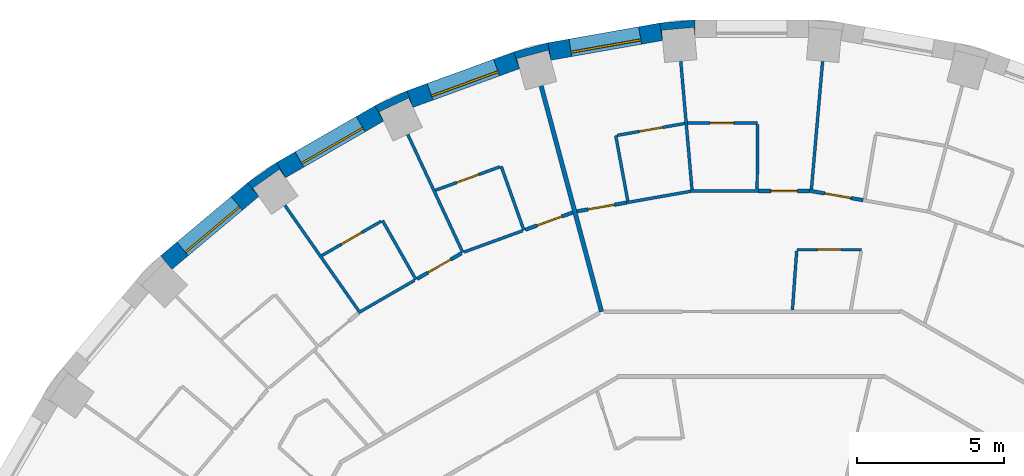
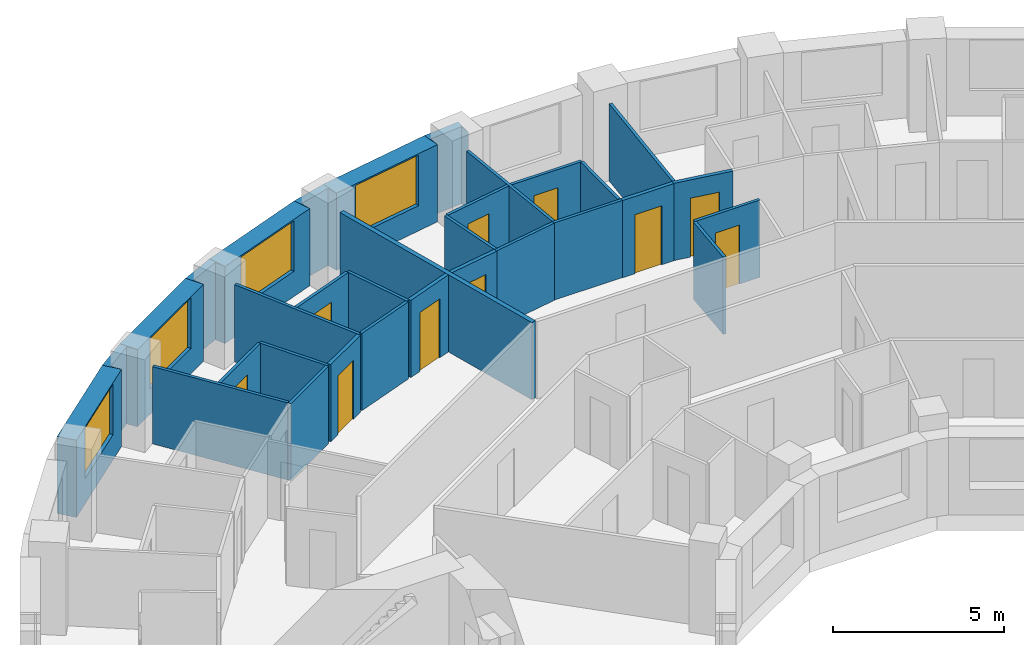
# One storey, part 10 of 14: 32 walls, 10 doors, 4 windows, 14 openings.
"""IFC4 building model written with IfcOpenShell, lengths in metres."""

from ifc_helpers import new_model, si_unit, direction, frame, frame_2d, origin, place, context, subcontext, project, spatial, polyline, rectangle, outline, extrude, material, layer, layer_set, type_object, element, fill, save


model = new_model("IFC4")

# Units and contexts
model_context = context("Model", 3, precision=1e-05, world=origin(), true_north=direction((0.0, 1.0)))
body_context = subcontext(model_context, "Body", "Model", "MODEL_VIEW")
ifc_project = project(units=[si_unit("LENGTHUNIT", "METRE"), si_unit("AREAUNIT", "SQUARE_METRE"), si_unit("VOLUMEUNIT", "CUBIC_METRE"), si_unit("PLANEANGLEUNIT", "RADIAN"), si_unit("MASSUNIT", "GRAM", prefix="KILO")], contexts=[model_context])

# Site, building, storey
site_placement = place(None, origin())
site = spatial("IfcSite", under=ifc_project, at=site_placement, CompositionType="ELEMENT")
building_placement = place(site_placement, origin())
building = spatial("IfcBuilding", under=site, at=building_placement, Name="Saqina Gate Tower", CompositionType="ELEMENT")
storey_placement = place(building_placement, frame((0.0, 0.0, 49.39990234375)))
storey = spatial("IfcBuildingStorey", under=building, at=storey_placement, Name="L13", CompositionType="ELEMENT", Elevation=49.39990234375)

# Walls
ifc_material_1 = material(Name="Brick masonry (red)", Category="masonry")
wall_type_1 = type_object("IfcWallType", Name="BRICK PIER COPING RED", PredefinedType="SOLIDWALL", material=ifc_material_1)
wall_1_placement = place(storey_placement, origin())
element("IfcWall", 1, at=wall_1_placement, inside=storey, type_object=wall_type_1, Name="Pier cap L13 column 10", PredefinedType="SOLIDWALL", context=body_context, shape_type="SweptSolid", body=[
    extrude(outline(polyline([(-1.9228515625, 28.8896484375), (-3.122802734375, 28.78466796875), (-3.018798828125, 28.19384765625), (-3.04931640625, 28.54296875), (-1.95361328125, 28.638671875), (-1.9228515625, 28.28955078125), (-1.9228515625, 28.8896484375)])), origin(), (0.0, 0.0, 1.0), 2.75),
])
wall_2_placement = place(storey_placement, origin())
element("IfcWall", 2, at=wall_2_placement, inside=storey, type_object=wall_type_1, Name="Pier cap L13 column 11", PredefinedType="SOLIDWALL", context=body_context, shape_type="SweptSolid", body=[
    extrude(outline(polyline([(-6.910400390625, 28.11669921875), (-8.073974609375, 27.80517578125), (-7.86865234375, 27.2412109375), (-7.95947265625, 27.57958984375), (-6.896728515625, 27.864501953125), (-6.80615234375, 27.52587890625), (-6.910400390625, 28.11669921875)])), origin(), (0.0, 0.0, 1.0), 2.75),
])
wall_3_placement = place(storey_placement, origin())
element("IfcWall", 3, at=wall_3_placement, inside=storey, type_object=wall_type_1, Name="Pier cap L13 column 12", PredefinedType="SOLIDWALL", context=body_context, shape_type="SweptSolid", body=[
    extrude(outline(polyline([(-12.779541015625, 25.980712890625), (-12.4794921875, 25.4609375), (-12.627685546875, 25.778564453125), (-11.630615234375, 26.243408203125), (-11.482666015625, 25.92578125), (-11.687744140625, 26.48974609375), (-12.779541015625, 25.980712890625)])), origin(), (0.0, 0.0, 1.0), 2.75),
])
wall_4_placement = place(storey_placement, origin())
element("IfcWall", 4, at=wall_4_placement, inside=storey, type_object=wall_type_1, Name="Pier cap L13 column 13", PredefinedType="SOLIDWALL", context=body_context, shape_type="SweptSolid", body=[
    extrude(outline(polyline([(-16.110107421875, 24.0576171875), (-17.096923828125, 23.36669921875), (-16.711181640625, 22.9072265625), (-16.912109375, 23.194091796875), (-16.010986328125, 23.8251953125), (-15.81005859375, 23.5380859375), (-16.110107421875, 24.0576171875)])), origin(), (0.0, 0.0, 1.0), 2.75),
])

# Wall, opening, window
ifc_material_2 = material(Name="Brick masonry (red)", Category="masonry")
ifc_layer_1 = layer(ifc_material_2, 0.60009765625)
ifc_layer_set_1 = layer_set([ifc_layer_1], Name="FW-BRICK-RED")
wall_type_2 = type_object("IfcWallType", Name="FW-BRICK-RED", PredefinedType="SOLIDWALL", material=ifc_layer_set_1)
wall_5_placement = place(storey_placement, frame((-3.07080078125, 28.4892578125, 0.0), z_axis=(0.0, 0.0, 1.0), x_axis=(-0.984800809218, -0.173687553279, 0.0)))
wall_5 = element("IfcWall", 5, at=wall_5_placement, inside=storey, type_object=wall_type_2, Name="Facade wall L13 facet 10", PredefinedType="SOLIDWALL", context=body_context, shape_type="SweptSolid", body=[
    extrude(rectangle(XDim=3.845703125, YDim=0.60009765625, at=frame_2d((1.9228515625, 0.0))), origin(), (0.0, 0.0, 1.0), 2.75),
])
opening_1_placement = place(wall_5_placement, frame((0.722900390625, 0.0, 0.89990234375)))
opening_1 = element("IfcOpeningElement", 6, at=opening_1_placement, cuts=wall_5, Name="Opening G03-W08", PredefinedType="OPENING", context=body_context, shape_type="SweptSolid", body=[
    extrude(rectangle(XDim=2.39990234375, YDim=1.800048828125, at=frame_2d((1.199951171875, 0.89990234375))), frame((0.0, 0.31201171875, 0.0), z_axis=(0.0, -1.0, 0.0), x_axis=(1.0, 0.0, 0.0)), (0.0, 0.0, 1.0), 0.6240234375),
])
ifc_material_3 = material(Name="Aluminium glazing", Category="aluminium")
window_type = type_object("IfcWindowType", Name="WN-A", PartitioningType="SINGLE_PANEL", PredefinedType="WINDOW", material=ifc_material_3)
window_1_placement = place(opening_1_placement, origin())
window_1 = element("IfcWindow", 7, at=window_1_placement, inside=storey, type_object=window_type, Name="Window L13 facet 10", OverallHeight=1.800048828125, OverallWidth=2.39990234375, PartitioningType="SINGLE_PANEL", PredefinedType="WINDOW", context=body_context, shape_type="SweptSolid", body=[
    extrude(rectangle(XDim=2.39990234375, YDim=1.800048828125, at=frame_2d((1.199951171875, 0.89990234375))), frame((0.0, 0.179931640625, 0.0), z_axis=(0.0, -1.0, 0.0), x_axis=(1.0, 0.0, 0.0)), (0.0, 0.0, 1.0), 0.06005859375),
])
fill(opening_1, window_1)

wall_6_placement = place(storey_placement, frame((-7.97119140625, 27.523193359375, 0.0), z_axis=(0.0, 0.0, 1.0), x_axis=(-0.939689588564, -0.342028474173, 0.0)))
wall_6 = element("IfcWall", 8, at=wall_6_placement, inside=storey, type_object=wall_type_2, Name="Facade wall L13 facet 11", PredefinedType="SOLIDWALL", context=body_context, shape_type="SweptSolid", body=[
    extrude(rectangle(XDim=3.845947265625, YDim=0.60009765625, at=frame_2d((1.9228515625, 0.0))), origin(), (0.0, 0.0, 1.0), 2.75),
])
opening_2_placement = place(wall_6_placement, frame((0.722900390625, 0.0, 0.89990234375)))
opening_2 = element("IfcOpeningElement", 9, at=opening_2_placement, cuts=wall_6, Name="Opening G03-W09", PredefinedType="OPENING", context=body_context, shape_type="SweptSolid", body=[
    extrude(rectangle(XDim=2.39990234375, YDim=1.800048828125, at=frame_2d((1.199951171875, 0.89990234375))), frame((0.0, 0.31201171875, 0.0), z_axis=(0.0, -1.0, 0.0), x_axis=(1.0, 0.0, 0.0)), (0.0, 0.0, 1.0), 0.6240234375),
])
window_2_placement = place(opening_2_placement, origin())
window_2 = element("IfcWindow", 10, at=window_2_placement, inside=storey, type_object=window_type, Name="Window L13 facet 11", OverallHeight=1.800048828125, OverallWidth=2.39990234375, PartitioningType="SINGLE_PANEL", PredefinedType="WINDOW", context=body_context, shape_type="SweptSolid", body=[
    extrude(rectangle(XDim=2.39990234375, YDim=1.800048828125, at=frame_2d((1.199951171875, 0.89990234375))), frame((0.0, 0.179931640625, 0.0), z_axis=(0.0, -1.0, 0.0), x_axis=(1.0, 0.0, 0.0)), (0.0, 0.0, 1.0), 0.06005859375),
])
fill(opening_2, window_2)

wall_7_placement = place(storey_placement, frame((-12.629638671875, 25.720703125, 0.0), z_axis=(0.0, 0.0, 1.0), x_axis=(-0.86603124159, -0.499989888488, 0.0)))
wall_7 = element("IfcWall", 11, at=wall_7_placement, inside=storey, type_object=wall_type_2, Name="Facade wall L13 facet 12", PredefinedType="SOLIDWALL", context=body_context, shape_type="SweptSolid", body=[
    extrude(rectangle(XDim=3.845703125, YDim=0.60009765625, at=frame_2d((1.9228515625, 0.0))), origin(), (0.0, 0.0, 1.0), 2.75),
])
opening_3_placement = place(wall_7_placement, frame((0.722900390625, 0.0, 0.89990234375)))
opening_3 = element("IfcOpeningElement", 12, at=opening_3_placement, cuts=wall_7, Name="Opening G03-W10", PredefinedType="OPENING", context=body_context, shape_type="SweptSolid", body=[
    extrude(rectangle(XDim=2.39990234375, YDim=1.800048828125, at=frame_2d((1.199951171875, 0.89990234375))), frame((0.0, 0.31201171875, 0.0), z_axis=(0.0, -1.0, 0.0), x_axis=(1.0, 0.0, 0.0)), (0.0, 0.0, 1.0), 0.6240234375),
])
window_3_placement = place(opening_3_placement, origin())
window_3 = element("IfcWindow", 13, at=window_3_placement, inside=storey, type_object=window_type, Name="Window L13 facet 12", OverallHeight=1.800048828125, OverallWidth=2.39990234375, PartitioningType="SINGLE_PANEL", PredefinedType="WINDOW", context=body_context, shape_type="SweptSolid", body=[
    extrude(rectangle(XDim=2.39990234375, YDim=1.800048828125, at=frame_2d((1.199951171875, 0.89990234375))), frame((0.0, 0.179931640625, 0.0), z_axis=(0.0, -1.0, 0.0), x_axis=(1.0, 0.0, 0.0)), (0.0, 0.0, 1.0), 0.06005859375),
])
fill(opening_3, window_3)

wall_8_placement = place(storey_placement, frame((-16.904052734375, 23.136962890625, 0.0), z_axis=(0.0, 0.0, 1.0), x_axis=(-0.766026164483, -0.642809392687, 0.0)))
wall_8 = element("IfcWall", 14, at=wall_8_placement, inside=storey, type_object=wall_type_2, Name="Facade wall L13 facet 13", PredefinedType="SOLIDWALL", context=body_context, shape_type="SweptSolid", body=[
    extrude(rectangle(XDim=3.845947265625, YDim=0.60009765625, at=frame_2d((1.9228515625, 0.0))), origin(), (0.0, 0.0, 1.0), 2.75),
])
opening_4_placement = place(wall_8_placement, frame((0.722900390625, 0.0, 0.89990234375)))
opening_4 = element("IfcOpeningElement", 15, at=opening_4_placement, cuts=wall_8, Name="Opening G03-W11", PredefinedType="OPENING", context=body_context, shape_type="SweptSolid", body=[
    extrude(rectangle(XDim=2.39990234375, YDim=1.800048828125, at=frame_2d((1.199951171875, 0.89990234375))), frame((0.0, 0.31201171875, 0.0), z_axis=(0.0, -1.0, 0.0), x_axis=(1.0, 0.0, 0.0)), (0.0, 0.0, 1.0), 0.6240234375),
])
window_4_placement = place(opening_4_placement, origin())
window_4 = element("IfcWindow", 16, at=window_4_placement, inside=storey, type_object=window_type, Name="Window L13 facet 13", OverallHeight=1.800048828125, OverallWidth=2.39990234375, PartitioningType="SINGLE_PANEL", PredefinedType="WINDOW", context=body_context, shape_type="SweptSolid", body=[
    extrude(rectangle(XDim=2.39990234375, YDim=1.800048828125, at=frame_2d((1.199951171875, 0.89990234375))), frame((0.0, 0.179931640625, 0.0), z_axis=(0.0, -1.0, 0.0), x_axis=(1.0, 0.0, 0.0)), (0.0, 0.0, 1.0), 0.06005859375),
])
fill(opening_4, window_4)

# Walls
ifc_material_4 = material(Name="Gypsum board on steel studs, 100 mm", Category="steel")
ifc_layer_2 = layer(ifc_material_4, 0.10009765625)
ifc_layer_set_2 = layer_set([ifc_layer_2], Name="PARTITION 100")
wall_type_3 = type_object("IfcWallType", Name="PARTITION 100", PredefinedType="PARTITIONING", material=ifc_layer_set_2)
wall_9_placement = place(storey_placement, frame((-2.404541015625, 27.485107421875, 0.0), z_axis=(0.0, 0.0, 1.0), x_axis=(0.087315535453, -0.996180705128, 0.0)))
element("IfcWall", 17, at=wall_9_placement, inside=storey, type_object=wall_type_3, Name="PARTITION PW3-01", PredefinedType="PARTITIONING", context=body_context, shape_type="SweptSolid", body=[
    extrude(rectangle(XDim=4.36181640625, YDim=0.10009765625, at=frame_2d((2.180908203125, 0.0))), origin(), (0.0, 0.0, 1.0), 2.75),
])
wall_10_placement = place(storey_placement, frame((-4.60888671875, 24.968994140625, 0.0), z_axis=(0.0, 0.0, 1.0), x_axis=(0.181195568125, -0.983447083524, 0.0)))
element("IfcWall", 18, at=wall_10_placement, inside=storey, type_object=wall_type_3, Name="PARTITION PW3-06", PredefinedType="PARTITIONING", context=body_context, shape_type="SweptSolid", body=[
    extrude(rectangle(XDim=2.250244140625, YDim=0.10009765625, at=frame_2d((1.125, 0.0))), origin(), (0.0, 0.0, 1.0), 2.75),
])
wall_11_placement = place(storey_placement, frame((-8.492919921875, 23.927978515625, 0.0), z_axis=(0.0, 0.0, 1.0), x_axis=(0.334695622164, -0.942326291952, 0.0)))
element("IfcWall", 19, at=wall_11_placement, inside=storey, type_object=wall_type_3, Name="PARTITION PW3-12", PredefinedType="PARTITIONING", context=body_context, shape_type="SweptSolid", body=[
    extrude(rectangle(XDim=2.300537109375, YDim=0.10009765625, at=frame_2d((1.150390625, 0.0))), origin(), (0.0, 0.0, 1.0), 2.75),
])
wall_12_placement = place(storey_placement, frame((-11.659912109375, 25.005126953125, 0.0), z_axis=(0.0, 0.0, 1.0), x_axis=(0.422658280027, -0.906289125127, 0.0)))
element("IfcWall", 20, at=wall_12_placement, inside=storey, type_object=wall_type_3, Name="PARTITION PW3-15", PredefinedType="PARTITIONING", context=body_context, shape_type="SweptSolid", body=[
    extrude(rectangle(XDim=4.41259765625, YDim=0.10009765625, at=frame_2d((2.206298828125, 0.0))), origin(), (0.0, 0.0, 1.0), 2.75),
])
wall_13_placement = place(storey_placement, frame((-12.51904296875, 22.090087890625, 0.0), z_axis=(0.0, 0.0, 1.0), x_axis=(0.49306078006, -0.869994866173, 0.0)))
element("IfcWall", 21, at=wall_13_placement, inside=storey, type_object=wall_type_3, Name="PARTITION PW3-18", PredefinedType="PARTITIONING", context=body_context, shape_type="SweptSolid", body=[
    extrude(rectangle(XDim=2.300048828125, YDim=0.10009765625, at=frame_2d((1.14990234375, 0.0))), origin(), (0.0, 0.0, 1.0), 2.75),
])
wall_14_placement = place(storey_placement, frame((-15.824951171875, 22.600341796875, 0.0), z_axis=(0.0, 0.0, 1.0), x_axis=(0.573326730149, -0.819326833746, 0.0)))
element("IfcWall", 22, at=wall_14_placement, inside=storey, type_object=wall_type_3, Name="PARTITION PW3-24", PredefinedType="PARTITIONING", context=body_context, shape_type="SweptSolid", body=[
    extrude(rectangle(XDim=4.349853515625, YDim=0.10009765625, at=frame_2d((2.1748046875, 0.0))), origin(), (0.0, 0.0, 1.0), 2.75),
])

# Wall, opening, door
wall_15_placement = place(storey_placement, frame((1.529052734375, 21.10009765625, 0.0), z_axis=(0.0, 0.0, 1.0), x_axis=(1.0, 0.0, 0.0)))
wall_15 = element("IfcWall", 23, at=wall_15_placement, inside=storey, type_object=wall_type_3, Name="PARTITION PW3-67", PredefinedType="PARTITIONING", context=body_context, shape_type="SweptSolid", body=[
    extrude(rectangle(XDim=2.19091796875, YDim=0.10009765625, at=frame_2d((1.095458984375, 0.0))), origin(), (0.0, 0.0, 1.0), 2.75),
])
opening_5_placement = place(wall_15_placement, frame((0.695556640625, 0.0, 0.0)))
opening_5 = element("IfcOpeningElement", 24, at=opening_5_placement, cuts=wall_15, Name="Opening G03-D15", PredefinedType="OPENING", context=body_context, shape_type="SweptSolid", body=[
    extrude(rectangle(XDim=0.800048828125, YDim=2.10009765625, at=frame_2d((0.39990234375, 1.050048828125))), frame((0.0, 0.06201171875, 0.0), z_axis=(0.0, -1.0, 0.0), x_axis=(1.0, 0.0, 0.0)), (0.0, 0.0, 1.0), 0.1240234375),
])
ifc_material_5 = material(Name="Timber door leaf, 800 mm", Category="wood")
door_type_1 = type_object("IfcDoorType", Name="DOOR 800 TIMBER", OperationType="SINGLE_SWING_LEFT", PredefinedType="DOOR", material=ifc_material_5)
door_1_placement = place(opening_5_placement, origin())
door_1 = element("IfcDoor", 25, at=door_1_placement, inside=storey, type_object=door_type_1, Name="DOOR G03-D15", OperationType="SINGLE_SWING_LEFT", OverallHeight=2.10009765625, OverallWidth=0.800048828125, PredefinedType="DOOR", context=body_context, shape_type="SweptSolid", body=[
    extrude(rectangle(XDim=0.800048828125, YDim=2.10009765625, at=frame_2d((0.39990234375, 1.050048828125))), frame((0.0, 0.02490234375, 0.0), z_axis=(0.0, -1.0, 0.0), x_axis=(1.0, 0.0, 0.0)), (0.0, 0.0, 1.0), 0.050048828125),
])
fill(opening_5, door_1)

# Wall
wall_16_placement = place(storey_placement, frame((-2.07080078125, 23.090087890625, 0.0), z_axis=(0.0, 0.0, 1.0), x_axis=(1.0, 0.0, 0.0)))
element("IfcWall", 26, at=wall_16_placement, inside=storey, type_object=wall_type_3, Name="PARTITION PW3-68", PredefinedType="PARTITIONING", context=body_context, shape_type="SweptSolid", body=[
    extrude(rectangle(XDim=2.305908203125, YDim=0.10009765625, at=frame_2d((1.15283203125, 0.0))), origin(), (0.0, 0.0, 1.0), 2.75),
])

# Wall, opening, door
wall_17_placement = place(storey_placement, frame((-2.1708984375, 25.389892578125, 0.0), z_axis=(0.0, 0.0, 1.0), x_axis=(1.0, 0.0, 0.0)))
wall_17 = element("IfcWall", 27, at=wall_17_placement, inside=storey, type_object=wall_type_3, Name="PARTITION PW3-69", PredefinedType="PARTITIONING", context=body_context, shape_type="SweptSolid", body=[
    extrude(rectangle(XDim=2.373779296875, YDim=0.10009765625, at=frame_2d((1.18701171875, 0.0))), origin(), (0.0, 0.0, 1.0), 2.75),
])
opening_6_placement = place(wall_17_placement, frame((0.761962890625, 0.0, 0.0)))
opening_6 = element("IfcOpeningElement", 28, at=opening_6_placement, cuts=wall_17, Name="Opening G03-D17", PredefinedType="OPENING", context=body_context, shape_type="SweptSolid", body=[
    extrude(rectangle(XDim=0.800048828125, YDim=2.10009765625, at=frame_2d((0.39990234375, 1.050048828125))), frame((0.0, 0.06201171875, 0.0), z_axis=(0.0, -1.0, 0.0), x_axis=(1.0, 0.0, 0.0)), (0.0, 0.0, 1.0), 0.1240234375),
])
door_2_placement = place(opening_6_placement, origin())
door_2 = element("IfcDoor", 29, at=door_2_placement, inside=storey, type_object=door_type_1, Name="DOOR G03-D17", OperationType="SINGLE_SWING_LEFT", OverallHeight=2.10009765625, OverallWidth=0.800048828125, PredefinedType="DOOR", context=body_context, shape_type="SweptSolid", body=[
    extrude(rectangle(XDim=0.800048828125, YDim=2.10009765625, at=frame_2d((0.39990234375, 1.050048828125))), frame((0.0, 0.02490234375, 0.0), z_axis=(0.0, -1.0, 0.0), x_axis=(1.0, 0.0, 0.0)), (0.0, 0.0, 1.0), 0.050048828125),
])
fill(opening_6, door_2)

# Wall
wall_18_placement = place(storey_placement, frame((-4.2412109375, 22.697998046875, 0.0), z_axis=(0.0, 0.0, 1.0), x_axis=(0.984822536066, 0.173564317922, 0.0)))
element("IfcWall", 30, at=wall_18_placement, inside=storey, type_object=wall_type_3, Name="PARTITION PW3-72", PredefinedType="PARTITIONING", context=body_context, shape_type="SweptSolid", body=[
    extrude(rectangle(XDim=2.20556640625, YDim=0.10009765625, at=frame_2d((1.102783203125, 0.0))), origin(), (0.0, 0.0, 1.0), 2.75),
])

# Wall, opening, door
wall_19_placement = place(storey_placement, frame((-4.559814453125, 24.977783203125, 0.0), z_axis=(0.0, 0.0, 1.0), x_axis=(0.984818426074, 0.173587636842, 0.0)))
wall_19 = element("IfcWall", 31, at=wall_19_placement, inside=storey, type_object=wall_type_3, Name="PARTITION PW3-73", PredefinedType="PARTITIONING", context=body_context, shape_type="SweptSolid", body=[
    extrude(rectangle(XDim=2.324951171875, YDim=0.10009765625, at=frame_2d((1.16259765625, 0.0))), origin(), (0.0, 0.0, 1.0), 2.75),
])
opening_7_placement = place(wall_19_placement, frame((0.762451171875, 0.0, 0.0)))
opening_7 = element("IfcOpeningElement", 32, at=opening_7_placement, cuts=wall_19, Name="Opening G03-D20", PredefinedType="OPENING", context=body_context, shape_type="SweptSolid", body=[
    extrude(rectangle(XDim=0.800048828125, YDim=2.10009765625, at=frame_2d((0.39990234375, 1.050048828125))), frame((0.0, 0.06201171875, 0.0), z_axis=(0.0, -1.0, 0.0), x_axis=(1.0, 0.0, 0.0)), (0.0, 0.0, 1.0), 0.1240234375),
])
door_3_placement = place(opening_7_placement, origin())
door_3 = element("IfcDoor", 33, at=door_3_placement, inside=storey, type_object=door_type_1, Name="DOOR G03-D20", OperationType="SINGLE_SWING_LEFT", OverallHeight=2.10009765625, OverallWidth=0.800048828125, PredefinedType="DOOR", context=body_context, shape_type="SweptSolid", body=[
    extrude(rectangle(XDim=0.800048828125, YDim=2.10009765625, at=frame_2d((0.39990234375, 1.050048828125))), frame((0.0, 0.02490234375, 0.0), z_axis=(0.0, -1.0, 0.0), x_axis=(1.0, 0.0, 0.0)), (0.0, 0.0, 1.0), 0.050048828125),
])
fill(opening_7, door_3)

# Wall
wall_20_placement = place(storey_placement, frame((-9.748046875, 21.023193359375, 0.0), z_axis=(0.0, 0.0, 1.0), x_axis=(0.939725675468, 0.341929312674, 0.0)))
element("IfcWall", 34, at=wall_20_placement, inside=storey, type_object=wall_type_3, Name="PARTITION PW3-76", PredefinedType="PARTITIONING", context=body_context, shape_type="SweptSolid", body=[
    extrude(rectangle(XDim=2.10498046875, YDim=0.10009765625, at=frame_2d((1.052490234375, 0.0))), origin(), (0.0, 0.0, 1.0), 2.75),
])

# Wall, opening, door
wall_21_placement = place(storey_placement, frame((-10.723876953125, 23.1162109375, 0.0), z_axis=(0.0, 0.0, 1.0), x_axis=(0.939716717369, 0.34195393125, 0.0)))
wall_21 = element("IfcWall", 35, at=wall_21_placement, inside=storey, type_object=wall_type_3, Name="PARTITION PW3-77", PredefinedType="PARTITIONING", context=body_context, shape_type="SweptSolid", body=[
    extrude(rectangle(XDim=2.323974609375, YDim=0.10009765625, at=frame_2d((1.162109375, 0.0))), origin(), (0.0, 0.0, 1.0), 2.75),
])
opening_8_placement = place(wall_21_placement, frame((0.761962890625, 0.0, 0.0)))
opening_8 = element("IfcOpeningElement", 36, at=opening_8_placement, cuts=wall_21, Name="Opening G03-D24", PredefinedType="OPENING", context=body_context, shape_type="SweptSolid", body=[
    extrude(rectangle(XDim=0.800048828125, YDim=2.10009765625, at=frame_2d((0.39990234375, 1.050048828125))), frame((0.0, 0.06201171875, 0.0), z_axis=(0.0, -1.0, 0.0), x_axis=(1.0, 0.0, 0.0)), (0.0, 0.0, 1.0), 0.1240234375),
])
door_4_placement = place(opening_8_placement, origin())
door_4 = element("IfcDoor", 37, at=door_4_placement, inside=storey, type_object=door_type_1, Name="DOOR G03-D24", OperationType="SINGLE_SWING_LEFT", OverallHeight=2.10009765625, OverallWidth=0.800048828125, PredefinedType="DOOR", context=body_context, shape_type="SweptSolid", body=[
    extrude(rectangle(XDim=0.800048828125, YDim=2.10009765625, at=frame_2d((0.39990234375, 1.050048828125))), frame((0.0, 0.02490234375, 0.0), z_axis=(0.0, -1.0, 0.0), x_axis=(1.0, 0.0, 0.0)), (0.0, 0.0, 1.0), 0.050048828125),
])
fill(opening_8, door_4)

# Wall
wall_22_placement = place(storey_placement, frame((-13.337890625, 18.960693359375, 0.0), z_axis=(0.0, 0.0, 1.0), x_axis=(0.865883187712, 0.500246244601, 0.0)))
element("IfcWall", 38, at=wall_22_placement, inside=storey, type_object=wall_type_3, Name="PARTITION PW3-87", PredefinedType="PARTITIONING", context=body_context, shape_type="SweptSolid", body=[
    extrude(rectangle(XDim=2.20556640625, YDim=0.10009765625, at=frame_2d((1.102783203125, 0.0))), origin(), (0.0, 0.0, 1.0), 2.75),
])

# Wall, opening, door
wall_23_placement = place(storey_placement, frame((-14.574951171875, 20.90234375, 0.0), z_axis=(0.0, 0.0, 1.0), x_axis=(0.865919666768, 0.50018309718, 0.0)))
wall_23 = element("IfcWall", 39, at=wall_23_placement, inside=storey, type_object=wall_type_3, Name="PARTITION PW3-88", PredefinedType="PARTITIONING", context=body_context, shape_type="SweptSolid", body=[
    extrude(rectangle(XDim=2.324462890625, YDim=0.10009765625, at=frame_2d((1.162109375, 0.0))), origin(), (0.0, 0.0, 1.0), 2.75),
])
opening_9_placement = place(wall_23_placement, frame((0.76220703125, 0.0, 0.0)))
opening_9 = element("IfcOpeningElement", 40, at=opening_9_placement, cuts=wall_23, Name="Opening G03-D28", PredefinedType="OPENING", context=body_context, shape_type="SweptSolid", body=[
    extrude(rectangle(XDim=0.800048828125, YDim=2.10009765625, at=frame_2d((0.39990234375, 1.050048828125))), frame((0.0, 0.06201171875, 0.0), z_axis=(0.0, -1.0, 0.0), x_axis=(1.0, 0.0, 0.0)), (0.0, 0.0, 1.0), 0.1240234375),
])
door_5_placement = place(opening_9_placement, origin())
door_5 = element("IfcDoor", 41, at=door_5_placement, inside=storey, type_object=door_type_1, Name="DOOR G03-D28", OperationType="SINGLE_SWING_RIGHT", OverallHeight=2.10009765625, OverallWidth=0.800048828125, PredefinedType="DOOR", context=body_context, shape_type="SweptSolid", body=[
    extrude(rectangle(XDim=0.800048828125, YDim=2.10009765625, at=frame_2d((0.39990234375, 1.050048828125))), frame((0.0, 0.02490234375, 0.0), z_axis=(0.0, -1.0, 0.0), x_axis=(1.0, 0.0, 0.0)), (0.0, 0.0, 1.0), 0.050048828125),
])
fill(opening_9, door_5)

# Walls
wall_24_placement = place(storey_placement, frame((2.025390625, 23.15234375, 0.0), z_axis=(0.0, 0.0, 1.0), x_axis=(0.087174609927, 0.996193047247, 0.0)))
element("IfcWall", 42, at=wall_24_placement, inside=storey, type_object=wall_type_3, Name="PARTITION PW3-127", PredefinedType="PARTITIONING", context=body_context, shape_type="SweptSolid", body=[
    extrude(rectangle(XDim=4.349365234375, YDim=0.10009765625, at=frame_2d((2.1748046875, 0.0))), origin(), (0.0, 0.0, 1.0), 2.75),
])
wall_25_placement = place(storey_placement, frame((1.381591796875, 19.062255859375, 0.0), z_axis=(0.0, 0.0, 1.0), x_axis=(0.072152400095, 0.997393618969, 0.0)))
element("IfcWall", 43, at=wall_25_placement, inside=storey, type_object=wall_type_3, Name="PARTITION PW3-128", PredefinedType="PARTITIONING", context=body_context, shape_type="SweptSolid", body=[
    extrude(rectangle(XDim=1.992919921875, YDim=0.10009765625, at=frame_2d((0.99658203125, 0.0))), origin(), (0.0, 0.0, 1.0), 2.75),
])
wall_26_placement = place(storey_placement, frame((0.185546875, 23.152587890625, 0.0), z_axis=(0.0, 0.0, 1.0), x_axis=(0.007812261592, 0.999969483819, 0.0)))
element("IfcWall", 44, at=wall_26_placement, inside=storey, type_object=wall_type_3, Name="PARTITION PW3-130", PredefinedType="PARTITIONING", context=body_context, shape_type="SweptSolid", body=[
    extrude(rectangle(XDim=2.1875, YDim=0.10009765625, at=frame_2d((1.09375, 0.0))), origin(), (0.0, 0.0, 1.0), 2.75),
])

# Wall, opening, door
ifc_material_6 = material(Name="Gypsum board on steel studs, 125 mm, fire rated", Category="steel")
ifc_layer_3 = layer(ifc_material_6, 0.125)
ifc_layer_set_3 = layer_set([ifc_layer_3], Name="PARTITION EI 30 125")
wall_type_4 = type_object("IfcWallType", Name="PARTITION EI 30 125", PredefinedType="PARTITIONING", material=ifc_layer_set_3)
wall_27_placement = place(storey_placement, frame((1.95751953125, 23.10107421875, 0.0), z_axis=(0.0, 0.0, 1.0), x_axis=(0.984778239754, -0.173815472575, 0.0)))
wall_27 = element("IfcWall", 45, at=wall_27_placement, inside=storey, type_object=wall_type_4, Name="PARTITION PW1-23", PredefinedType="PARTITIONING", context=body_context, shape_type="SweptSolid", body=[
    extrude(rectangle(XDim=1.848388671875, YDim=0.125, at=frame_2d((0.92431640625, 0.0))), origin(), (0.0, 0.0, 1.0), 2.75),
])
opening_10_placement = place(wall_27_placement, frame((0.531005859375, 0.0, 0.0)))
opening_10 = element("IfcOpeningElement", 46, at=opening_10_placement, cuts=wall_27, Name="Opening G03-D13", PredefinedType="OPENING", context=body_context, shape_type="SweptSolid", body=[
    extrude(rectangle(XDim=0.89990234375, YDim=2.10009765625, at=frame_2d((0.449951171875, 1.050048828125))), frame((0.0, 0.074462890625, 0.0), z_axis=(0.0, -1.0, 0.0), x_axis=(1.0, 0.0, 0.0)), (0.0, 0.0, 1.0), 0.14892578125),
])
ifc_material_7 = material(Name="Fire door leaf EI 30, 900 mm")
door_type_2 = type_object("IfcDoorType", Name="DOOR 900 EI 30", OperationType="SINGLE_SWING_LEFT", PredefinedType="DOOR", material=ifc_material_7)
door_6_placement = place(opening_10_placement, frame((0.89990234375, 0.0, 0.0), z_axis=(0.0, 0.0, 1.0), x_axis=(-1.0, 0.0, 0.0)))
door_6 = element("IfcDoor", 47, at=door_6_placement, inside=storey, type_object=door_type_2, Name="DOOR G03-D13", OperationType="SINGLE_SWING_RIGHT", OverallHeight=2.10009765625, OverallWidth=0.89990234375, PredefinedType="DOOR", context=body_context, shape_type="SweptSolid", body=[
    extrude(rectangle(XDim=0.89990234375, YDim=2.10009765625, at=frame_2d((0.449951171875, 1.050048828125))), frame((0.0, 0.02490234375, 0.0), z_axis=(0.0, -1.0, 0.0), x_axis=(1.0, 0.0, 0.0)), (0.0, 0.0, 1.0), 0.050048828125),
])
fill(opening_10, door_6)

wall_28_placement = place(storey_placement, frame((0.235107421875, 23.090087890625, 0.0), z_axis=(0.0, 0.0, 1.0), x_axis=(1.0, 0.0, 0.0)))
wall_28 = element("IfcWall", 48, at=wall_28_placement, inside=storey, type_object=wall_type_4, Name="PARTITION PW1-30", PredefinedType="PARTITIONING", context=body_context, shape_type="SweptSolid", body=[
    extrude(rectangle(XDim=1.722412109375, YDim=0.125, at=frame_2d((0.861328125, 0.0))), origin(), (0.0, 0.0, 1.0), 2.75),
])
opening_11_placement = place(wall_28_placement, frame((0.41748046875, 0.0, 0.0)))
opening_11 = element("IfcOpeningElement", 49, at=opening_11_placement, cuts=wall_28, Name="Opening G03-D16", PredefinedType="OPENING", context=body_context, shape_type="SweptSolid", body=[
    extrude(rectangle(XDim=0.89990234375, YDim=2.10009765625, at=frame_2d((0.449951171875, 1.050048828125))), frame((0.0, 0.074462890625, 0.0), z_axis=(0.0, -1.0, 0.0), x_axis=(1.0, 0.0, 0.0)), (0.0, 0.0, 1.0), 0.14892578125),
])
door_7_placement = place(opening_11_placement, frame((0.89990234375, 0.0, 0.0), z_axis=(0.0, 0.0, 1.0), x_axis=(-1.0, 0.0, 0.0)))
door_7 = element("IfcDoor", 50, at=door_7_placement, inside=storey, type_object=door_type_2, Name="DOOR G03-D16", OperationType="SINGLE_SWING_LEFT", OverallHeight=2.10009765625, OverallWidth=0.89990234375, PredefinedType="DOOR", context=body_context, shape_type="SweptSolid", body=[
    extrude(rectangle(XDim=0.89990234375, YDim=2.10009765625, at=frame_2d((0.449951171875, 1.050048828125))), frame((0.0, 0.02490234375, 0.0), z_axis=(0.0, -1.0, 0.0), x_axis=(1.0, 0.0, 0.0)), (0.0, 0.0, 1.0), 0.050048828125),
])
fill(opening_11, door_7)

wall_29_placement = place(storey_placement, frame((-5.925048828125, 22.401123046875, 0.0), z_axis=(0.0, 0.0, 1.0), x_axis=(0.984786433544, 0.173769043008, 0.0)))
wall_29 = element("IfcWall", 51, at=wall_29_placement, inside=storey, type_object=wall_type_4, Name="PARTITION PW1-32", PredefinedType="PARTITIONING", context=body_context, shape_type="SweptSolid", body=[
    extrude(rectangle(XDim=1.7099609375, YDim=0.125, at=frame_2d((0.85498046875, 0.0))), origin(), (0.0, 0.0, 1.0), 2.75),
])
opening_12_placement = place(wall_29_placement, frame((0.392578125, 0.0, 0.0)))
opening_12 = element("IfcOpeningElement", 52, at=opening_12_placement, cuts=wall_29, Name="Opening G03-D21", PredefinedType="OPENING", context=body_context, shape_type="SweptSolid", body=[
    extrude(rectangle(XDim=0.89990234375, YDim=2.10009765625, at=frame_2d((0.449951171875, 1.050048828125))), frame((0.0, 0.074462890625, 0.0), z_axis=(0.0, -1.0, 0.0), x_axis=(1.0, 0.0, 0.0)), (0.0, 0.0, 1.0), 0.14892578125),
])
door_8_placement = place(opening_12_placement, frame((0.89990234375, 0.0, 0.0), z_axis=(0.0, 0.0, 1.0), x_axis=(-1.0, 0.0, 0.0)))
door_8 = element("IfcDoor", 53, at=door_8_placement, inside=storey, type_object=door_type_2, Name="DOOR G03-D21", OperationType="SINGLE_SWING_RIGHT", OverallHeight=2.10009765625, OverallWidth=0.89990234375, PredefinedType="DOOR", context=body_context, shape_type="SweptSolid", body=[
    extrude(rectangle(XDim=0.89990234375, YDim=2.10009765625, at=frame_2d((0.449951171875, 1.050048828125))), frame((0.0, 0.02490234375, 0.0), z_axis=(0.0, -1.0, 0.0), x_axis=(1.0, 0.0, 0.0)), (0.0, 0.0, 1.0), 0.050048828125),
])
fill(opening_12, door_8)

wall_30_placement = place(storey_placement, frame((-7.676025390625, 21.777099609375, 0.0), z_axis=(0.0, 0.0, 1.0), x_axis=(0.939597315436, 0.342281879195, 0.0)))
wall_30 = element("IfcWall", 54, at=wall_30_placement, inside=storey, type_object=wall_type_4, Name="PARTITION PW1-34", PredefinedType="PARTITIONING", context=body_context, shape_type="SweptSolid", body=[
    extrude(rectangle(XDim=1.709716796875, YDim=0.125, at=frame_2d((0.85498046875, 0.0))), origin(), (0.0, 0.0, 1.0), 2.75),
])
opening_13_placement = place(wall_30_placement, frame((0.41748046875, 0.0, 0.0)))
opening_13 = element("IfcOpeningElement", 55, at=opening_13_placement, cuts=wall_30, Name="Opening G03-D22", PredefinedType="OPENING", context=body_context, shape_type="SweptSolid", body=[
    extrude(rectangle(XDim=0.89990234375, YDim=2.10009765625, at=frame_2d((0.449951171875, 1.050048828125))), frame((0.0, 0.074462890625, 0.0), z_axis=(0.0, -1.0, 0.0), x_axis=(1.0, 0.0, 0.0)), (0.0, 0.0, 1.0), 0.14892578125),
])
door_9_placement = place(opening_13_placement, frame((0.89990234375, 0.0, 0.0), z_axis=(0.0, 0.0, 1.0), x_axis=(-1.0, 0.0, 0.0)))
door_9 = element("IfcDoor", 56, at=door_9_placement, inside=storey, type_object=door_type_2, Name="DOOR G03-D22", OperationType="SINGLE_SWING_LEFT", OverallHeight=2.10009765625, OverallWidth=0.89990234375, PredefinedType="DOOR", context=body_context, shape_type="SweptSolid", body=[
    extrude(rectangle(XDim=0.89990234375, YDim=2.10009765625, at=frame_2d((0.449951171875, 1.050048828125))), frame((0.0, 0.02490234375, 0.0), z_axis=(0.0, -1.0, 0.0), x_axis=(1.0, 0.0, 0.0)), (0.0, 0.0, 1.0), 0.050048828125),
])
fill(opening_13, door_9)

wall_31_placement = place(storey_placement, frame((-11.341796875, 20.114013671875, 0.0), z_axis=(0.0, 0.0, 1.0), x_axis=(0.866288616225, 0.499543825303, 0.0)))
wall_31 = element("IfcWall", 57, at=wall_31_placement, inside=storey, type_object=wall_type_4, Name="PARTITION PW1-41", PredefinedType="PARTITIONING", context=body_context, shape_type="SweptSolid", body=[
    extrude(rectangle(XDim=1.7353515625, YDim=0.125, at=frame_2d((0.86767578125, 0.0))), origin(), (0.0, 0.0, 1.0), 2.75),
])
opening_14_placement = place(wall_31_placement, frame((0.417724609375, 0.0, 0.0)))
opening_14 = element("IfcOpeningElement", 58, at=opening_14_placement, cuts=wall_31, Name="Opening G03-D26", PredefinedType="OPENING", context=body_context, shape_type="SweptSolid", body=[
    extrude(rectangle(XDim=0.89990234375, YDim=2.10009765625, at=frame_2d((0.449951171875, 1.050048828125))), frame((0.0, 0.074462890625, 0.0), z_axis=(0.0, -1.0, 0.0), x_axis=(1.0, 0.0, 0.0)), (0.0, 0.0, 1.0), 0.14892578125),
])
door_10_placement = place(opening_14_placement, frame((0.89990234375, 0.0, 0.0), z_axis=(0.0, 0.0, 1.0), x_axis=(-1.0, 0.0, 0.0)))
door_10 = element("IfcDoor", 59, at=door_10_placement, inside=storey, type_object=door_type_2, Name="DOOR G03-D26", OperationType="SINGLE_SWING_LEFT", OverallHeight=2.10009765625, OverallWidth=0.89990234375, PredefinedType="DOOR", context=body_context, shape_type="SweptSolid", body=[
    extrude(rectangle(XDim=0.89990234375, YDim=2.10009765625, at=frame_2d((0.449951171875, 1.050048828125))), frame((0.0, 0.02490234375, 0.0), z_axis=(0.0, -1.0, 0.0), x_axis=(1.0, 0.0, 0.0)), (0.0, 0.0, 1.0), 0.050048828125),
])
fill(opening_14, door_10)

# Wall
ifc_material_8 = material(Name="Gypsum board on steel studs, 150 mm, fire rated", Category="steel")
ifc_layer_4 = layer(ifc_material_8, 0.14990234375)
ifc_layer_set_4 = layer_set([ifc_layer_4], Name="PARTITION EI 60 150")
wall_type_5 = type_object("IfcWallType", Name="PARTITION EI 60 150", PredefinedType="PARTITIONING", material=ifc_layer_set_4)
wall_32_placement = place(storey_placement, frame((-7.138427734375, 26.650634765625, 0.0), z_axis=(0.0, 0.0, 1.0), x_axis=(0.258510598433, -0.966008421546, 0.0)))
element("IfcWall", 60, at=wall_32_placement, inside=storey, type_object=wall_type_5, Name="PARTITION PW2-01", PredefinedType="PARTITIONING", context=body_context, shape_type="SweptSolid", body=[
    extrude(rectangle(XDim=7.919921875, YDim=0.14990234375, at=frame_2d((3.9599609375, 0.0))), origin(), (0.0, 0.0, 1.0), 2.75),
])

save(model, "model.ifc")
